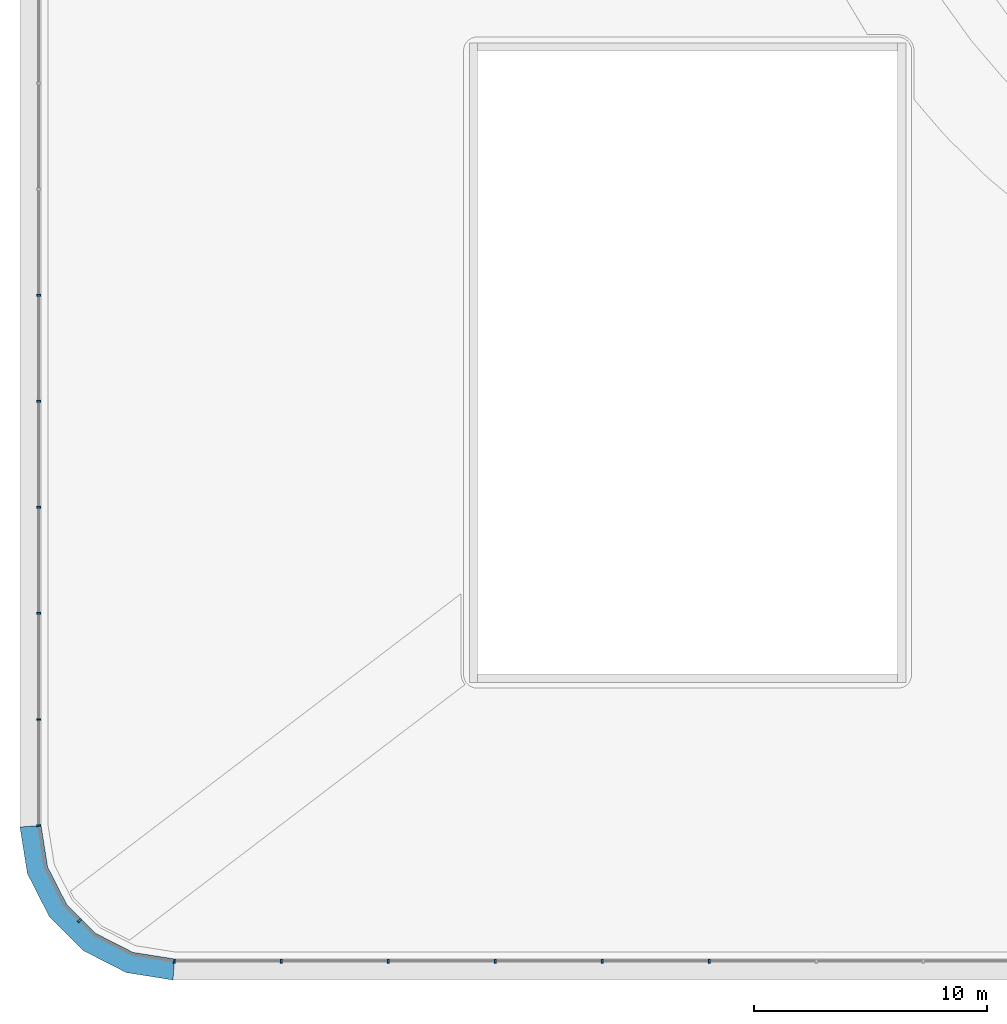
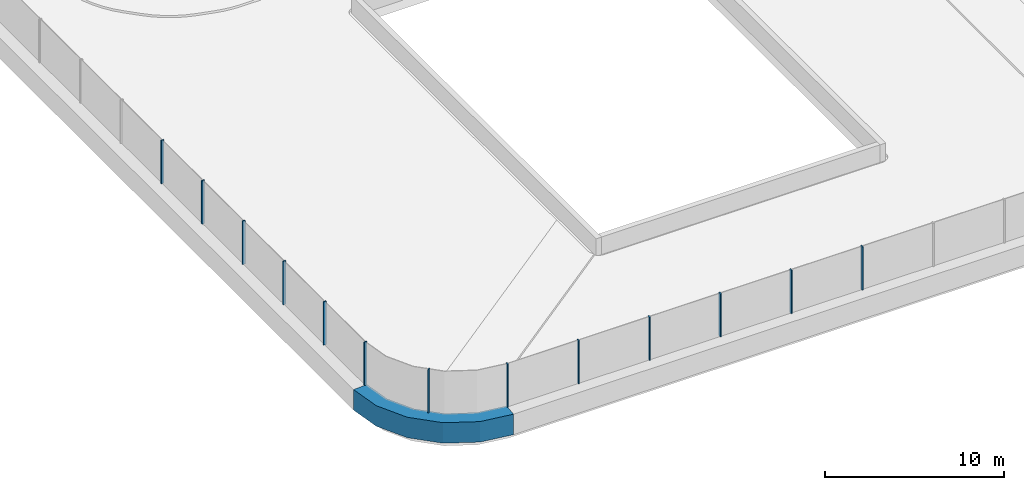
# One storey, part 2 of 37: 14 members, 3 elements without a shape of their own.
"""IFC4 building model written with IfcOpenShell, lengths in metres."""

from ifc_helpers import new_model, si_unit, direction, frame, origin, origin_2d, place, context, subcontext, project, spatial, polyline, rectangle, outline, extrude, material, layer, layer_set, material_profile, profile_set, type_object, element, aggregate, save


model = new_model("IFC4")

# Units and contexts
model_context = context("Model", 3, precision=1e-05, world=origin(), true_north=direction((0.0, 1.0)))
body_context = subcontext(model_context, "Body", "Model", "MODEL_VIEW")
ifc_project = project(units=[si_unit("LENGTHUNIT", "METRE"), si_unit("AREAUNIT", "SQUARE_METRE"), si_unit("VOLUMEUNIT", "CUBIC_METRE"), si_unit("PLANEANGLEUNIT", "RADIAN"), si_unit("MASSUNIT", "GRAM", prefix="KILO")], contexts=[model_context])

# Site, building, storey
site_placement = place(None, origin())
site = spatial("IfcSite", under=ifc_project, at=site_placement, CompositionType="ELEMENT")
building_placement = place(site_placement, origin())
building = spatial("IfcBuilding", under=site, at=building_placement, Name="Tamarind Cross Interchange Tower", CompositionType="ELEMENT")
storey_placement = place(building_placement, frame((0.0, 0.0, 29.5)))
storey = spatial("IfcBuildingStorey", under=building, at=storey_placement, Name="L05", CompositionType="ELEMENT", Elevation=29.5)

# Curtain wall, member
ifc_material_1 = material(Name="Aluminium 6063-T6", Category="aluminium")
ifc_layer = layer(ifc_material_1, 0.179931640625)
ifc_layer_set = layer_set([ifc_layer], Name="Aluminium 6063-T6")
curtain_wall_type = type_object("IfcCurtainWallType", Name="Sky lobby curtain wall, fire-resisting glazing", PredefinedType="NOTDEFINED", material=ifc_layer_set)
curtain_wall_1_placement = place(storey_placement, origin())
curtain_wall_1 = element("IfcCurtainWall", 1, at=curtain_wall_1_placement, inside=storey, type_object=curtain_wall_type, Name="CWS-L05-05", PredefinedType="NOTDEFINED")
ifc_material_2 = material(Name="Aluminium and insulated spandrel panel", Category="aluminium")
member_type_1 = type_object("IfcMemberType", Name="Floor-edge blade transom", PredefinedType="USERDEFINED", material=ifc_material_2)
member_1_placement = place(storey_placement, origin())
member_1 = element("IfcMember", 2, at=member_1_placement, type_object=member_type_1, Name="CWT-L05-05", ObjectType="TRANSOM", PredefinedType="USERDEFINED", context=body_context, shape_type="SweptSolid", body=[
    extrude(outline(polyline([(-60.699951171875, -49.976318359375), (-60.41748046875, -51.76025390625), (-59.6083984375, -53.34814453125), (-58.34814453125, -54.6083984375), (-56.76025390625, -55.41748046875), (-54.976318359375, -55.699951171875), (-55.047119140625, -56.60009765625), (-57.041748046875, -56.2841796875), (-58.8837890625, -55.345458984375), (-60.345458984375, -53.8837890625), (-61.2841796875, -52.041748046875), (-61.60009765625, -50.047119140625), (-60.699951171875, -49.976318359375)])), origin(), (0.0, 0.0, 1.0), 1.39990234375),
])

# Curtain wall, members
curtain_wall_2_placement = place(storey_placement, origin())
curtain_wall_2 = element("IfcCurtainWall", 3, at=curtain_wall_2_placement, inside=storey, type_object=curtain_wall_type, Name="CWS-L05-04", PredefinedType="NOTDEFINED")
ifc_material_profile = material_profile(ifc_material_1, rectangle(XDim=0.080078125, YDim=0.179931640625, at=origin_2d()), Name="Mullion CW4")
ifc_profile_set = profile_set([ifc_material_profile], Name="Aluminium 6063-T6")
member_type_2 = type_object("IfcMemberType", Name="Mullion CW4", PredefinedType="MULLION", material=ifc_profile_set)
member_2_placement = place(storey_placement, frame((-60.800048828125, -27.26416015625, 1.39990234375), z_axis=(0.0, 0.0, 1.0), x_axis=(0.0, -1.0, 0.0)))
member_2 = element("IfcMember", 4, at=member_2_placement, type_object=member_type_2, Name="CWM-L05-04-17", PredefinedType="MULLION", context=body_context, shape_type="SweptSolid", body=[
    extrude(rectangle(XDim=0.080078125, YDim=0.179931640625, at=origin_2d()), origin(), (0.0, 0.0, 1.0), 2.960205078125),
])
member_3_placement = place(storey_placement, frame((-60.800048828125, -31.80810546875, 1.39990234375), z_axis=(0.0, 0.0, 1.0), x_axis=(0.0, -1.0, 0.0)))
member_3 = element("IfcMember", 5, at=member_3_placement, type_object=member_type_2, Name="CWM-L05-04-18", PredefinedType="MULLION", context=body_context, shape_type="SweptSolid", body=[
    extrude(rectangle(XDim=0.080078125, YDim=0.179931640625, at=origin_2d()), origin(), (0.0, 0.0, 1.0), 2.960205078125),
])
member_4_placement = place(storey_placement, frame((-60.800048828125, -36.352294921875, 1.39990234375), z_axis=(0.0, 0.0, 1.0), x_axis=(0.0, -1.0, 0.0)))
member_4 = element("IfcMember", 6, at=member_4_placement, type_object=member_type_2, Name="CWM-L05-04-19", PredefinedType="MULLION", context=body_context, shape_type="SweptSolid", body=[
    extrude(rectangle(XDim=0.080078125, YDim=0.179931640625, at=origin_2d()), origin(), (0.0, 0.0, 1.0), 2.960205078125),
])
member_5_placement = place(storey_placement, frame((-60.800048828125, -40.896240234375, 1.39990234375), z_axis=(0.0, 0.0, 1.0), x_axis=(0.0, -1.0, 0.0)))
member_5 = element("IfcMember", 7, at=member_5_placement, type_object=member_type_2, Name="CWM-L05-04-20", PredefinedType="MULLION", context=body_context, shape_type="SweptSolid", body=[
    extrude(rectangle(XDim=0.080078125, YDim=0.179931640625, at=origin_2d()), origin(), (0.0, 0.0, 1.0), 2.960205078125),
])
member_6_placement = place(storey_placement, frame((-60.800048828125, -45.440185546875, 1.39990234375), z_axis=(0.0, 0.0, 1.0), x_axis=(0.0, -1.0, 0.0)))
member_6 = element("IfcMember", 8, at=member_6_placement, type_object=member_type_2, Name="CWM-L05-04-21", PredefinedType="MULLION", context=body_context, shape_type="SweptSolid", body=[
    extrude(rectangle(XDim=0.080078125, YDim=0.179931640625, at=origin_2d()), origin(), (0.0, 0.0, 1.0), 2.960205078125),
])
aggregate(curtain_wall_2, [member_2, member_3, member_4, member_5, member_6])

# Member
member_7_placement = place(storey_placement, frame((-60.800048828125, -49.984375, 1.39990234375), z_axis=(0.0, 0.0, 1.0), x_axis=(0.078459095728, -0.996917333733, 0.0)))
member_7 = element("IfcMember", 9, at=member_7_placement, type_object=member_type_2, Name="CWM-L05-05-00", PredefinedType="MULLION", context=body_context, shape_type="SweptSolid", body=[
    extrude(rectangle(XDim=0.080078125, YDim=0.179931640625, at=origin_2d()), origin(), (0.0, 0.0, 1.0), 2.960205078125),
])

member_8_placement = place(storey_placement, frame((-59.049072265625, -54.049072265625, 1.39990234375), z_axis=(0.0, 0.0, 1.0), x_axis=(0.707106781187, -0.707106781187, 0.0)))
member_8 = element("IfcMember", 10, at=member_8_placement, type_object=member_type_2, Name="CWM-L05-05-01", PredefinedType="MULLION", context=body_context, shape_type="SweptSolid", body=[
    extrude(rectangle(XDim=0.080078125, YDim=0.179931640625, at=origin_2d()), origin(), (0.0, 0.0, 1.0), 2.960205078125),
])

aggregate(curtain_wall_1, [member_7, member_8, member_1])

# Curtain wall, members
curtain_wall_3_placement = place(storey_placement, origin())
curtain_wall_3 = element("IfcCurtainWall", 11, at=curtain_wall_3_placement, inside=storey, type_object=curtain_wall_type, Name="CWS-L05-06", PredefinedType="NOTDEFINED")
member_9_placement = place(storey_placement, frame((-54.984375, -55.800048828125, 1.39990234375), z_axis=(0.0, 0.0, 1.0), x_axis=(0.996917333733, -0.078459095728, 0.0)))
member_9 = element("IfcMember", 12, at=member_9_placement, type_object=member_type_2, Name="CWM-L05-06-00", PredefinedType="MULLION", context=body_context, shape_type="SweptSolid", body=[
    extrude(rectangle(XDim=0.080078125, YDim=0.179931640625, at=origin_2d()), origin(), (0.0, 0.0, 1.0), 2.960205078125),
])
member_10_placement = place(storey_placement, frame((-50.40234375, -55.800048828125, 1.39990234375), z_axis=(0.0, 0.0, 1.0), x_axis=(1.0, 0.0, 0.0)))
member_10 = element("IfcMember", 13, at=member_10_placement, type_object=member_type_2, Name="CWM-L05-06-01", PredefinedType="MULLION", context=body_context, shape_type="SweptSolid", body=[
    extrude(rectangle(XDim=0.080078125, YDim=0.179931640625, at=origin_2d()), origin(), (0.0, 0.0, 1.0), 2.960205078125),
])
member_11_placement = place(storey_placement, frame((-45.8203125, -55.800048828125, 1.39990234375), z_axis=(0.0, 0.0, 1.0), x_axis=(1.0, 0.0, 0.0)))
member_11 = element("IfcMember", 14, at=member_11_placement, type_object=member_type_2, Name="CWM-L05-06-02", PredefinedType="MULLION", context=body_context, shape_type="SweptSolid", body=[
    extrude(rectangle(XDim=0.080078125, YDim=0.179931640625, at=origin_2d()), origin(), (0.0, 0.0, 1.0), 2.960205078125),
])
member_12_placement = place(storey_placement, frame((-41.23828125, -55.800048828125, 1.39990234375), z_axis=(0.0, 0.0, 1.0), x_axis=(1.0, 0.0, 0.0)))
member_12 = element("IfcMember", 15, at=member_12_placement, type_object=member_type_2, Name="CWM-L05-06-03", PredefinedType="MULLION", context=body_context, shape_type="SweptSolid", body=[
    extrude(rectangle(XDim=0.080078125, YDim=0.179931640625, at=origin_2d()), origin(), (0.0, 0.0, 1.0), 2.960205078125),
])
member_13_placement = place(storey_placement, frame((-36.65625, -55.800048828125, 1.39990234375), z_axis=(0.0, 0.0, 1.0), x_axis=(1.0, 0.0, 0.0)))
member_13 = element("IfcMember", 16, at=member_13_placement, type_object=member_type_2, Name="CWM-L05-06-04", PredefinedType="MULLION", context=body_context, shape_type="SweptSolid", body=[
    extrude(rectangle(XDim=0.080078125, YDim=0.179931640625, at=origin_2d()), origin(), (0.0, 0.0, 1.0), 2.960205078125),
])
member_14_placement = place(storey_placement, frame((-32.07421875, -55.800048828125, 1.39990234375), z_axis=(0.0, 0.0, 1.0), x_axis=(1.0, 0.0, 0.0)))
member_14 = element("IfcMember", 17, at=member_14_placement, type_object=member_type_2, Name="CWM-L05-06-05", PredefinedType="MULLION", context=body_context, shape_type="SweptSolid", body=[
    extrude(rectangle(XDim=0.080078125, YDim=0.179931640625, at=origin_2d()), origin(), (0.0, 0.0, 1.0), 2.960205078125),
])
aggregate(curtain_wall_3, [member_9, member_10, member_11, member_12, member_13, member_14])

save(model, "model.ifc")
